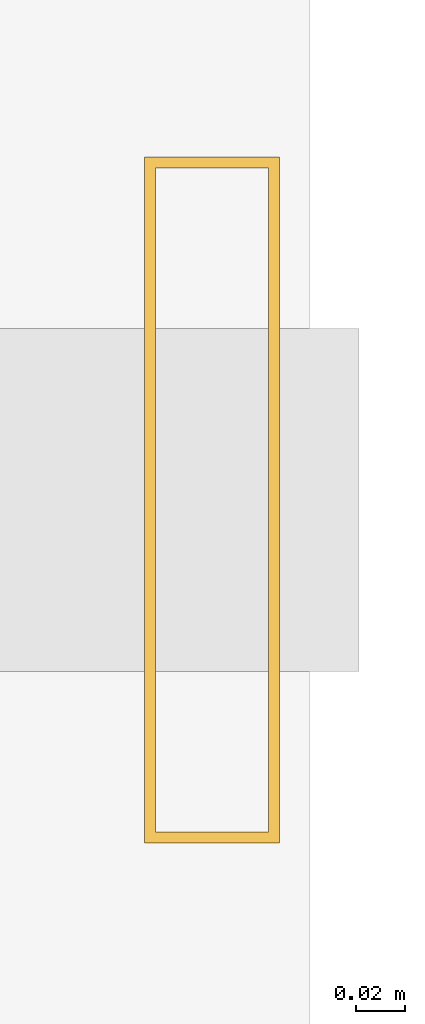
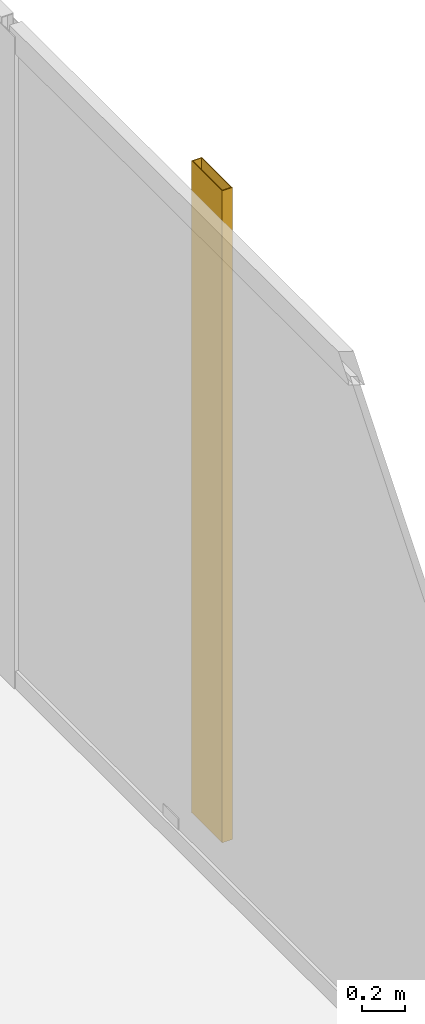
# One storey, part 31 of 31: 1 shading device.
"""IFC4 building model written with IfcOpenShell, lengths in metres."""

from ifc_helpers import new_model, si_unit, direction, frame, origin, origin_2d, place, context, subcontext, project, spatial, hollow_rectangle, extrude, material, material_profile, profile_set, type_object, element, save


model = new_model("IFC4")

# Units and contexts
model_context = context("Model", 3, precision=1e-05, world=origin(), true_north=direction((0.0, 1.0)))
body_context = subcontext(model_context, "Body", "Model", "MODEL_VIEW")
ifc_project = project(units=[si_unit("LENGTHUNIT", "METRE"), si_unit("AREAUNIT", "SQUARE_METRE"), si_unit("VOLUMEUNIT", "CUBIC_METRE"), si_unit("PLANEANGLEUNIT", "RADIAN"), si_unit("MASSUNIT", "GRAM", prefix="KILO")], contexts=[model_context])

# Site, building, storey
site_placement = place(None, origin())
site = spatial("IfcSite", under=ifc_project, at=site_placement, CompositionType="ELEMENT")
building_placement = place(site_placement, origin())
building = spatial("IfcBuilding", under=site, at=building_placement, Name="Kolvaren Waterfront Exchange", CompositionType="ELEMENT")
storey_placement = place(building_placement, frame((0.0, 0.0, 344.199951171875)))
storey = spatial("IfcBuildingStorey", under=building, at=storey_placement, Name="L88", CompositionType="ELEMENT", Elevation=344.199951171875)

# Shading device
ifc_material = material(Name="Anodised bronze aluminium 6063-T6", Category="aluminium")
ifc_material_profile = material_profile(ifc_material, hollow_rectangle(XDim=0.054931640625, YDim=0.280029296875, WallThickness=0.00439453125, at=origin_2d()), Name="BRZ-FIN-280x55x4.5")
ifc_profile_set = profile_set([ifc_material_profile], Name="Anodised bronze aluminium 6063-T6")
shading_device_type = type_object("IfcShadingDeviceType", Name="ARC-FIN-280", PredefinedType="USERDEFINED", material=ifc_profile_set)
shading_device_placement = place(storey_placement, frame((21.360107421875, 37.60009765625, 0.0), z_axis=(0.0, 0.0, 1.0), x_axis=(1.0, 0.0, 0.0)))
element("IfcShadingDevice", 1, at=shading_device_placement, inside=storey, type_object=shading_device_type, Name="L88 anodised bronze solar shading fin FIN-L88-E3", ObjectType="SOLAR FIN", PredefinedType="USERDEFINED", context=body_context, shape_type="SweptSolid", body=[
    extrude(hollow_rectangle(XDim=0.054931640625, YDim=0.280029296875, WallThickness=0.00439453125, at=origin_2d()), origin(), (0.0, 0.0, 1.0), 3.66015625),
])

save(model, "model.ifc")
